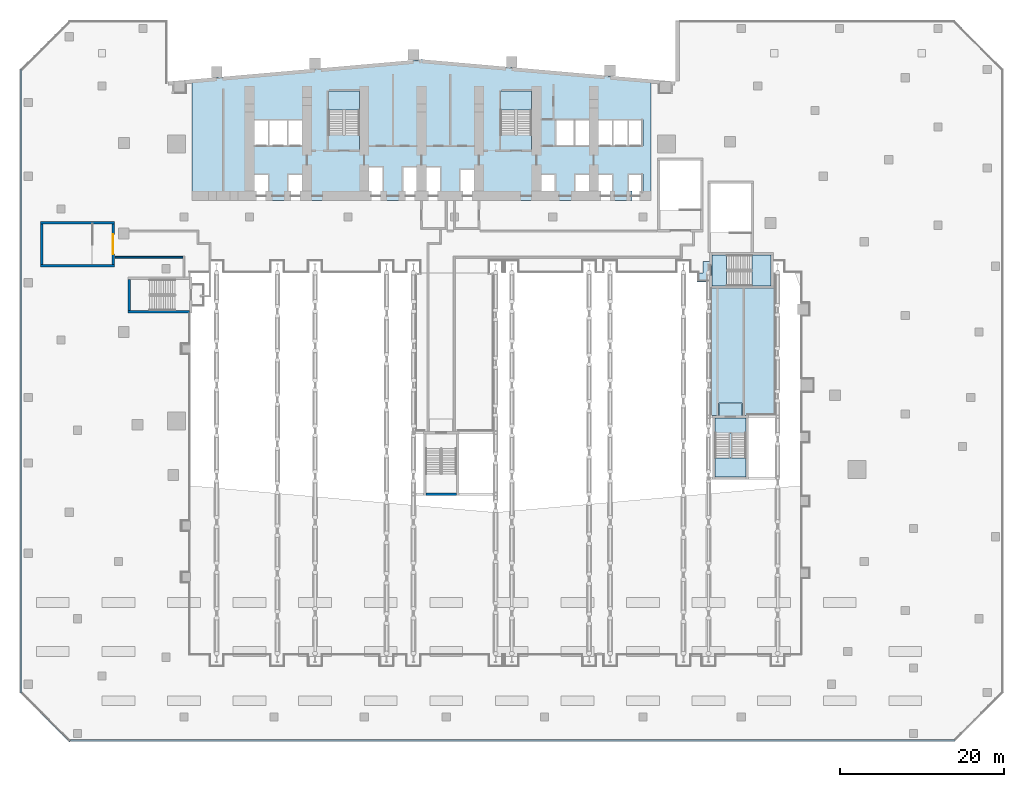
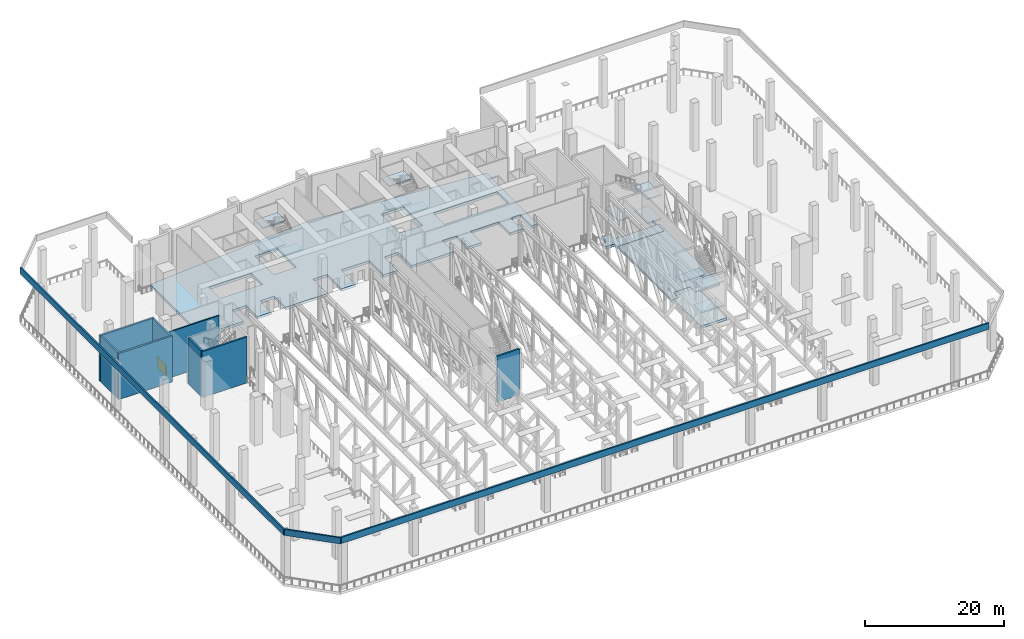
# One storey, part 9 of 33: 16 slabs, 11 walls, 1 door, 1 opening, 4 elements without a shape of their own.
"""IFC4 building model written with IfcOpenShell, lengths in metres."""

from ifc_helpers import new_model, si_unit, direction, frame, frame_2d, origin, place, context, subcontext, project, spatial, polyline, rectangle, outline, extrude, material, layer, layer_set, type_object, element, fill, aggregate, save


model = new_model("IFC4")

# Units and contexts
model_context = context("Model", 3, precision=1e-05, world=origin(), true_north=direction((0.0, 1.0)))
body_context = subcontext(model_context, "Body", "Model", "MODEL_VIEW")
ifc_project = project(units=[si_unit("LENGTHUNIT", "METRE"), si_unit("AREAUNIT", "SQUARE_METRE"), si_unit("VOLUMEUNIT", "CUBIC_METRE"), si_unit("PLANEANGLEUNIT", "RADIAN"), si_unit("MASSUNIT", "GRAM", prefix="KILO")], contexts=[model_context])

# Site, building, storey
site_placement = place(None, origin())
site = spatial("IfcSite", under=ifc_project, at=site_placement, CompositionType="ELEMENT")
building_placement = place(site_placement, origin())
building = spatial("IfcBuilding", under=site, at=building_placement, Name="Wharfspan Tower", CompositionType="ELEMENT")
storey_placement = place(building_placement, frame((0.0, 0.0, 33.0)))
storey = spatial("IfcBuildingStorey", under=building, at=storey_placement, Name="L05", CompositionType="ELEMENT", Elevation=33.0)

# Slabs
ifc_material_1 = material(Name="Concrete C35/45", Category="concrete")
ifc_layer_1 = layer(ifc_material_1, 0.300049)
ifc_layer_set_1 = layer_set([ifc_layer_1], Name="Concrete C35/45")
slab_type_1 = type_object("IfcSlabType", Name="Corridor floor slab 300", PredefinedType="FLOOR", material=ifc_layer_set_1)
slab_1_placement = place(storey_placement, frame((0.0, 0.0, -0.300049)))
element("IfcSlab", 1, at=slab_1_placement, inside=storey, type_object=slab_type_1, Name="Corridor floor PC5", PredefinedType="FLOOR", context=body_context, shape_type="SweptSolid", body=[
    extrude(outline(polyline([(72.199951, 23.322998), (79.925049, 23.322998), (79.925293, 23.322998), (79.925293, 23.322998), (79.925537, 23.322998), (79.925781, 23.323242), (79.925781, 23.323242), (79.926025, 23.323242), (79.92627, 23.323486), (79.926514, 23.323486), (79.926514, 23.32373), (79.926758, 23.323975), (79.926758, 23.324219), (79.926758, 23.324219), (79.927002, 23.324463), (79.927002, 23.324707), (79.927002, 23.324707), (79.927002, 23.324951), (79.927002, 25.199951), (80.241943, 25.199951), (80.241943, 7.791992), (76.869385, 7.791992), (76.869385, 7.791992), (76.869385, 7.792236), (76.869385, 7.79248), (76.869385, 7.79248), (76.869385, 7.792725), (76.869385, 7.792969), (76.869141, 7.793213), (76.868896, 7.793213), (76.868896, 7.793457), (76.868896, 7.793457), (76.868652, 7.793701), (76.868408, 7.793701), (76.868408, 7.793701), (76.868164, 7.793945), (76.86792, 7.793945), (76.867676, 7.793945), (76.867432, 7.793945), (76.094482, 7.793945), (76.094482, 9.291992), (76.094482, 9.292236), (76.094482, 9.29248), (76.094482, 9.29248), (76.094238, 9.292725), (76.094238, 9.292969), (76.094238, 9.293213), (76.093994, 9.293213), (76.093994, 9.293457), (76.09375, 9.293457), (76.093506, 9.293701), (76.093506, 9.293701), (76.093262, 9.293701), (76.093018, 9.293945), (76.093018, 9.293945), (76.092773, 9.293945), (76.092529, 9.293945), (73.29248, 9.293945), (73.292236, 9.293945), (73.291992, 9.293945), (73.291992, 9.293945), (73.291748, 9.293701), (73.291504, 9.293701), (73.291504, 9.293701), (73.29126, 9.293457), (73.291016, 9.293457), (73.291016, 9.293213), (73.290771, 9.293213), (73.290771, 9.292969), (73.290771, 9.292725), (73.290527, 9.29248), (73.290527, 9.29248), (73.290527, 9.292236), (73.290527, 9.291992), (73.290527, 7.793945), (72.517578, 7.793945), (72.517334, 7.793945), (72.51709, 7.793945), (72.516846, 7.793945), (72.516602, 7.793701), (72.516602, 7.793701), (72.516357, 7.793701), (72.516113, 7.793457), (72.516113, 7.793457), (72.516113, 7.793213), (72.515869, 7.793213), (72.515625, 7.792969), (72.515625, 7.792725), (72.515625, 7.79248), (72.515381, 7.79248), (72.515381, 7.792236), (72.515381, 7.791992), (72.515381, 7.791992), (72.199951, 7.791992), (72.199951, 23.322998)])), origin(), (0.0, 0.0, 1.0), 0.300049),
])
ifc_layer_2 = layer(ifc_material_1, 0.449951)
ifc_layer_set_2 = layer_set([ifc_layer_2], Name="Concrete C35/45")
slab_type_2 = type_object("IfcSlabType", Name="Podium deck 450", PredefinedType="FLOOR", material=ifc_layer_set_2)
slab_2_placement = place(storey_placement, frame((0.0, 0.0, -0.450195)))
element("IfcSlab", 2, at=slab_2_placement, inside=storey, type_object=slab_type_2, Name="Core floor L05", PredefinedType="FLOOR", context=body_context, shape_type="SweptSolid", body=[
    extrude(outline(polyline([(65.0, 48.787354), (65.0, 34.0), (64.01001, 34.0), (64.01001, 37.26001), (62.656738, 37.26001), (62.656738, 37.159912), (62.290039, 37.159912), (62.290039, 35.189941), (62.656738, 35.189941), (62.656738, 34.0), (60.343262, 34.0), (60.343262, 37.26001), (55.656738, 37.26001), (55.656738, 34.0), (53.343262, 34.0), (53.343262, 37.26001), (50.98999, 37.26001), (50.98999, 34.0), (44.01001, 34.0), (44.01001, 37.860107), (41.656738, 37.860107), (41.656738, 34.0), (39.343262, 34.0), (39.343262, 38.159912), (34.656738, 38.159912), (34.656738, 34.0), (32.343262, 34.0), (32.343262, 38.159912), (29.98999, 38.159912), (29.98999, 34.0), (23.01001, 34.0), (23.01001, 37.26001), (20.656738, 37.26001), (20.656738, 34.0), (18.343262, 34.0), (18.343262, 37.26001), (15.98999, 37.26001), (15.98999, 34.0), (9.0, 34.0), (9.0, 48.787354), (37.0, 51.237061), (65.0, 48.787354)]), holes=[polyline([(53.323242, 43.909912), (53.323242, 40.689941), (64.01001, 40.689941), (64.01001, 43.909912), (53.323242, 43.909912)]), polyline([(50.409912, 41.98999), (50.409912, 47.409912), (46.639893, 47.409912), (46.639893, 41.98999), (50.409912, 41.98999)]), polyline([(29.409912, 41.98999), (29.409912, 47.409912), (25.639893, 47.409912), (25.639893, 41.98999), (29.409912, 41.98999)]), polyline([(20.676758, 40.689941), (23.01001, 40.689941), (23.01001, 43.909912), (20.676758, 43.909912), (20.656738, 43.909912), (15.98999, 43.909912), (15.98999, 40.689941), (20.656738, 40.689941), (20.676758, 40.689941)])]), origin(), (0.0, 0.0, 1.0), 0.450195),
])
ifc_material_2 = material(Name="Concrete C40/50", Category="concrete")
ifc_layer_3 = layer(ifc_material_2, 0.449951)
ifc_layer_set_3 = layer_set([ifc_layer_3], Name="Concrete C40/50")
slab_type_3 = type_object("IfcSlabType", Name="Post-tensioned flat slab 450", PredefinedType="FLOOR", material=ifc_layer_set_3)
slab_3_placement = place(storey_placement, frame((0.0, 0.0, -0.450195)))
element("IfcSlab", 3, at=slab_3_placement, inside=storey, type_object=slab_type_3, Name="Core floor slab L05 part 3", PredefinedType="FLOOR", context=body_context, shape_type="SweptSolid", body=[
    extrude(outline(polyline([(73.29248, 9.291992), (73.29248, 7.791992), (72.517578, 7.791992), (72.517578, -0.008057), (76.867432, -0.008057), (76.867432, 7.791992), (76.092529, 7.791992), (76.092529, 9.291992), (73.29248, 9.291992)])), origin(), (0.0, 0.0, 1.0), 0.450195),
])
slab_4_placement = place(storey_placement, frame((0.0, 0.0, -0.450195)))
element("IfcSlab", 4, at=slab_4_placement, inside=storey, type_object=slab_type_3, Name="Core floor slab L05 part 4", PredefinedType="FLOOR", context=body_context, shape_type="SweptSolid", body=[
    extrude(outline(polyline([(79.925049, 26.5979), (79.743896, 26.5979), (79.743896, 25.199951), (79.743896, 25.199707), (79.743896, 25.199707), (79.743896, 25.199463), (79.743896, 25.199219), (79.743896, 25.199219), (79.743652, 25.198975), (79.743408, 25.19873), (79.743408, 25.198486), (79.743408, 25.198486), (79.743164, 25.198242), (79.74292, 25.198242), (79.74292, 25.198242), (79.742676, 25.197998), (79.742432, 25.197998), (79.742188, 25.197998), (79.741943, 25.197998), (72.699951, 25.197998), (72.699707, 25.197998), (72.699707, 25.197998), (72.699463, 25.197998), (72.699219, 25.198242), (72.699219, 25.198242), (72.698975, 25.198242), (72.69873, 25.198486), (72.698486, 25.198486), (72.698486, 25.19873), (72.698242, 25.198975), (72.698242, 25.199219), (72.698242, 25.199219), (72.697998, 25.199463), (72.697998, 25.199707), (72.697998, 25.199707), (72.697998, 25.199951), (72.697998, 26.5979), (71.302002, 26.5979), (71.302002, 25.199951), (71.302002, 25.199707), (71.302002, 25.199707), (71.302002, 25.199463), (71.301758, 25.199219), (71.301758, 25.199219), (71.301758, 25.198975), (71.301514, 25.19873), (71.301514, 25.198486), (71.30127, 25.198486), (71.301025, 25.198242), (71.300781, 25.198242), (71.300781, 25.198242), (71.300537, 25.197998), (71.300293, 25.197998), (71.300293, 25.197998), (71.300049, 25.197998), (70.625, 25.197998), (70.625, 24.100098), (72.125, 24.100098), (72.125, 23.324951), (79.925049, 23.324951), (79.925049, 26.5979)])), origin(), (0.0, 0.0, 1.0), 0.450195),
])

# Stair, slabs
stair_type = type_object("IfcStairType", Name="Half-turn stair 48 risers 177 mm", PredefinedType="HALF_TURN_STAIR", material=ifc_material_2)
stair_1_placement = place(storey_placement, origin())
stair_1 = element("IfcStair", 5, at=stair_1_placement, inside=storey, type_object=stair_type, Name="L05 stair ST1", PredefinedType="HALF_TURN_STAIR")
ifc_layer_4 = layer(ifc_material_2, 0.199951)
ifc_layer_set_4 = layer_set([ifc_layer_4], Name="Concrete C40/50")
slab_type_4 = type_object("IfcSlabType", Name="Stair landing 200", PredefinedType="LANDING", material=ifc_layer_set_4)
slab_5_placement = place(storey_placement, frame((0.0, 0.0, 1.924805)))
slab_5 = element("IfcSlab", 6, at=slab_5_placement, type_object=slab_type_4, Name="ST1 landing 1", PredefinedType="LANDING", context=body_context, shape_type="SweptSolid", body=[
    extrude(outline(polyline([(29.399902, 45.080078), (29.399902, 47.399902), (25.649902, 47.399902), (25.649902, 45.080078), (29.399902, 45.080078)])), origin(), (0.0, 0.0, 1.0), 0.200195),
])
slab_6_placement = place(storey_placement, frame((0.0, 0.0, 4.049805)))
slab_6 = element("IfcSlab", 7, at=slab_6_placement, type_object=slab_type_4, Name="ST1 landing 2", PredefinedType="LANDING", context=body_context, shape_type="SweptSolid", body=[
    extrude(outline(polyline([(29.399902, 40.199951), (29.399902, 42.0), (25.649902, 42.0), (25.649902, 40.199951), (29.399902, 40.199951)])), origin(), (0.0, 0.0, 1.0), 0.200195),
])
slab_7_placement = place(storey_placement, frame((0.0, 0.0, 6.174805)))
slab_7 = element("IfcSlab", 8, at=slab_7_placement, type_object=slab_type_4, Name="ST1 landing 3", PredefinedType="LANDING", context=body_context, shape_type="SweptSolid", body=[
    extrude(outline(polyline([(29.399902, 45.080078), (29.399902, 47.399902), (25.649902, 47.399902), (25.649902, 45.080078), (29.399902, 45.080078)])), origin(), (0.0, 0.0, 1.0), 0.200195),
])
aggregate(stair_1, [slab_5, slab_6, slab_7])

stair_2_placement = place(storey_placement, origin())
stair_2 = element("IfcStair", 9, at=stair_2_placement, inside=storey, type_object=stair_type, Name="L05 stair ST2", PredefinedType="HALF_TURN_STAIR")
slab_8_placement = place(storey_placement, frame((0.0, 0.0, 1.924805)))
slab_8 = element("IfcSlab", 10, at=slab_8_placement, type_object=slab_type_4, Name="ST2 landing 1", PredefinedType="LANDING", context=body_context, shape_type="SweptSolid", body=[
    extrude(outline(polyline([(50.399902, 45.080078), (50.399902, 47.399902), (46.649902, 47.399902), (46.649902, 45.080078), (50.399902, 45.080078)])), origin(), (0.0, 0.0, 1.0), 0.200195),
])
slab_9_placement = place(storey_placement, frame((0.0, 0.0, 4.049805)))
slab_9 = element("IfcSlab", 11, at=slab_9_placement, type_object=slab_type_4, Name="ST2 landing 2", PredefinedType="LANDING", context=body_context, shape_type="SweptSolid", body=[
    extrude(outline(polyline([(50.399902, 40.199951), (50.399902, 42.0), (46.649902, 42.0), (46.649902, 40.199951), (50.399902, 40.199951)])), origin(), (0.0, 0.0, 1.0), 0.200195),
])
slab_10_placement = place(storey_placement, frame((0.0, 0.0, 6.174805)))
slab_10 = element("IfcSlab", 12, at=slab_10_placement, type_object=slab_type_4, Name="ST2 landing 3", PredefinedType="LANDING", context=body_context, shape_type="SweptSolid", body=[
    extrude(outline(polyline([(50.399902, 45.080078), (50.399902, 47.399902), (46.649902, 47.399902), (46.649902, 45.080078), (50.399902, 45.080078)])), origin(), (0.0, 0.0, 1.0), 0.200195),
])
aggregate(stair_2, [slab_8, slab_9, slab_10])

stair_3_placement = place(storey_placement, origin())
stair_3 = element("IfcStair", 13, at=stair_3_placement, inside=storey, type_object=stair_type, Name="L05 stair ST5", PredefinedType="HALF_TURN_STAIR")
slab_11_placement = place(storey_placement, frame((0.0, 0.0, 1.924805)))
slab_11 = element("IfcSlab", 14, at=slab_11_placement, type_object=slab_type_4, Name="ST5 landing 1", PredefinedType="LANDING", context=body_context, shape_type="SweptSolid", body=[
    extrude(outline(polyline([(72.817383, 2.612061), (72.817383, 0.291992), (76.567383, 0.291992), (76.567383, 2.612061), (72.817383, 2.612061)])), origin(), (0.0, 0.0, 1.0), 0.200195),
])
slab_12_placement = place(storey_placement, frame((0.0, 0.0, 4.049805)))
slab_12 = element("IfcSlab", 15, at=slab_12_placement, type_object=slab_type_4, Name="ST5 landing 2", PredefinedType="LANDING", context=body_context, shape_type="SweptSolid", body=[
    extrude(outline(polyline([(72.817383, 7.491943), (72.817383, 5.691895), (76.567383, 5.691895), (76.567383, 7.491943), (72.817383, 7.491943)])), origin(), (0.0, 0.0, 1.0), 0.200195),
])
slab_13_placement = place(storey_placement, frame((0.0, 0.0, 6.174805)))
slab_13 = element("IfcSlab", 16, at=slab_13_placement, type_object=slab_type_4, Name="ST5 landing 3", PredefinedType="LANDING", context=body_context, shape_type="SweptSolid", body=[
    extrude(outline(polyline([(72.817383, 2.612061), (72.817383, 0.291992), (76.567383, 0.291992), (76.567383, 2.612061), (72.817383, 2.612061)])), origin(), (0.0, 0.0, 1.0), 0.200195),
])
aggregate(stair_3, [slab_11, slab_12, slab_13])

stair_4_placement = place(storey_placement, origin())
stair_4 = element("IfcStair", 17, at=stair_4_placement, inside=storey, type_object=stair_type, Name="L05 stair ST6", PredefinedType="HALF_TURN_STAIR")
slab_14_placement = place(storey_placement, frame((0.0, 0.0, 1.924805)))
slab_14 = element("IfcSlab", 18, at=slab_14_placement, type_object=slab_type_4, Name="ST6 landing 1", PredefinedType="LANDING", context=body_context, shape_type="SweptSolid", body=[
    extrude(outline(polyline([(77.304932, 23.625), (79.625, 23.625), (79.625, 27.375), (77.304932, 27.375), (77.304932, 23.625)])), origin(), (0.0, 0.0, 1.0), 0.200195),
])
slab_15_placement = place(storey_placement, frame((0.0, 0.0, 4.049805)))
slab_15 = element("IfcSlab", 19, at=slab_15_placement, type_object=slab_type_4, Name="ST6 landing 2", PredefinedType="LANDING", context=body_context, shape_type="SweptSolid", body=[
    extrude(outline(polyline([(72.425049, 23.625), (74.225098, 23.625), (74.225098, 27.375), (72.425049, 27.375), (72.425049, 23.625)])), origin(), (0.0, 0.0, 1.0), 0.200195),
])
slab_16_placement = place(storey_placement, frame((0.0, 0.0, 6.174805)))
slab_16 = element("IfcSlab", 20, at=slab_16_placement, type_object=slab_type_4, Name="ST6 landing 3", PredefinedType="LANDING", context=body_context, shape_type="SweptSolid", body=[
    extrude(outline(polyline([(77.304932, 23.625), (79.625, 23.625), (79.625, 27.375), (77.304932, 27.375), (77.304932, 23.625)])), origin(), (0.0, 0.0, 1.0), 0.200195),
])
aggregate(stair_4, [slab_14, slab_15, slab_16])

# Walls
ifc_layer_5 = layer(ifc_material_2, 0.25)
ifc_layer_set_5 = layer_set([ifc_layer_5], Name="Concrete C40/50")
wall_type_1 = type_object("IfcWallType", Name="PARAPET CONCRETE 250", PredefinedType="PARAPET", material=ifc_layer_set_5)
wall_1_placement = place(storey_placement, frame((-5.823242, -31.875, 8.5), z_axis=(0.0, 0.0, 1.0), x_axis=(1.0, 0.0, 0.0)))
element("IfcWall", 21, at=wall_1_placement, inside=storey, type_object=wall_type_1, Name="Ledge parapet", PredefinedType="PARAPET", context=body_context, shape_type="SweptSolid", body=[
    extrude(rectangle(XDim=107.896484, YDim=0.25, at=frame_2d((53.948242, 0.0))), origin(), (0.0, 0.0, 1.0), 1.100098),
])
wall_2_placement = place(storey_placement, frame((-11.875, 50.0, 8.5), z_axis=(0.0, 0.0, 1.0), x_axis=(0.0, -1.0, 0.0)))
element("IfcWall", 22, at=wall_2_placement, inside=storey, type_object=wall_type_1, Name="Ledge parapet", PredefinedType="PARAPET", context=body_context, shape_type="SweptSolid", body=[
    extrude(rectangle(XDim=76.073242, YDim=0.25, at=frame_2d((38.036621, 0.0))), origin(), (0.0, 0.0, 1.0), 1.100098),
])
wall_3_placement = place(storey_placement, frame((-11.786621, -26.036621, 8.5), z_axis=(0.0, 0.0, 1.0), x_axis=(0.707107, -0.707107, 0.0)))
element("IfcWall", 23, at=wall_3_placement, inside=storey, type_object=wall_type_1, Name="Ledge parapet", PredefinedType="PARAPET", context=body_context, shape_type="SweptSolid", body=[
    extrude(rectangle(XDim=8.381592, YDim=0.25, at=frame_2d((4.190918, 0.0))), origin(), (0.0, 0.0, 1.0), 1.100098),
])
ifc_layer_6 = layer(ifc_material_2, 0.300049)
ifc_layer_set_6 = layer_set([ifc_layer_6], Name="Concrete C40/50")
wall_type_2 = type_object("IfcWallType", Name="Podium stair core wall 300", PredefinedType="SHEAR", material=ifc_layer_set_6)
for number, where, z_axis, x_axis, name in (
    (24, (-9.5, 26.074951, 0.0), (0.0, 0.0, 1.0), (1.0, 0.0, 0.0), "iw:L05:PS3S"),
    (25, (-9.5, 31.324951, 0.0), (0.0, 0.0, 1.0), (1.0, 0.0, 0.0), "iw:L05:PS3N"),
):
    element("IfcWall", number, at=place(storey_placement, frame(where, z_axis=z_axis, x_axis=x_axis)), inside=storey, type_object=wall_type_2, Name=name, PredefinedType="SHEAR", context=body_context, shape_type="SweptSolid", body=[
        extrude(rectangle(XDim=9.0, YDim=0.300049, at=frame_2d((4.5, 0.0))), origin(), (0.0, 0.0, 1.0), 8.100098),
    ])
wall_4_placement = place(storey_placement, frame((-9.350098, 26.225098, 0.0), z_axis=(0.0, 0.0, 1.0), x_axis=(0.0, 1.0, 0.0)))
element("IfcWall", 26, at=wall_4_placement, inside=storey, type_object=wall_type_2, Name="iw:L05:PS3W", PredefinedType="SHEAR", context=body_context, shape_type="SweptSolid", body=[
    extrude(rectangle(XDim=4.949951, YDim=0.300049, at=frame_2d((2.475098, 0.0))), origin(), (0.0, 0.0, 1.0), 8.100098),
])

# Wall, opening, door
wall_5_placement = place(storey_placement, frame((-0.649902, 26.225098, 0.0), z_axis=(0.0, 0.0, 1.0), x_axis=(0.0, 1.0, 0.0)))
wall_5 = element("IfcWall", 27, at=wall_5_placement, inside=storey, type_object=wall_type_2, Name="iw:L05:PS3E", PredefinedType="SHEAR", context=body_context, shape_type="SweptSolid", body=[
    extrude(rectangle(XDim=4.949951, YDim=0.300049, at=frame_2d((2.475098, 0.0))), origin(), (0.0, 0.0, 1.0), 8.100098),
])
opening_placement = place(wall_5_placement, frame((1.274902, 0.0, 0.0)))
opening = element("IfcOpeningElement", 28, at=opening_placement, cuts=wall_5, Name="Opening SDPS3.L05", PredefinedType="OPENING", context=body_context, shape_type="SweptSolid", body=[
    extrude(rectangle(XDim=2.399902, YDim=2.100098, at=frame_2d((1.199951, 1.050049))), frame((0.0, 0.159912, 0.0), z_axis=(0.0, -1.0, 0.0), x_axis=(1.0, 0.0, 0.0)), (0.0, 0.0, 1.0), 0.320068),
])
ifc_material_3 = material(Name="Steel door leaf", Category="steel")
door_type = type_object("IfcDoorType", Name="Podium stair door 2400x2100", OperationType="DOUBLE_DOOR_SINGLE_SWING", PredefinedType="DOOR", material=ifc_material_3)
door_placement = place(opening_placement, origin())
door = element("IfcDoor", 29, at=door_placement, inside=storey, type_object=door_type, Name="id:L05:PS3", OperationType="DOUBLE_DOOR_SINGLE_SWING", OverallHeight=2.100098, OverallWidth=2.399902, PredefinedType="DOOR", context=body_context, shape_type="SweptSolid", body=[
    extrude(rectangle(XDim=2.399902, YDim=2.100098, at=frame_2d((1.199951, 1.050049))), frame((0.0, 0.024902, 0.0), z_axis=(0.0, -1.0, 0.0), x_axis=(1.0, 0.0, 0.0)), (0.0, 0.0, 1.0), 0.050049),
])
fill(opening, door)

# Walls
ifc_material_4 = material(Name="Concrete C30/37", Category="concrete")
ifc_layer_7 = layer(ifc_material_4, 0.199951)
ifc_layer_set_7 = layer_set([ifc_layer_7], Name="Concrete C30/37")
wall_type_3 = type_object("IfcWallType", Name="Protected corridor wall 200", PredefinedType="PARTITIONING", material=ifc_layer_set_7)
wall_6_placement = place(storey_placement, frame((-0.379883, 27.100098, 0.0), z_axis=(0.0, 0.0, 1.0), x_axis=(1.0, 0.0, 0.0)))
element("IfcWall", 30, at=wall_6_placement, inside=storey, type_object=wall_type_3, Name="iw:L05:PC3:4", PredefinedType="PARTITIONING", context=body_context, shape_type="SweptSolid", body=[
    extrude(rectangle(XDim=8.279785, YDim=0.199951, at=frame_2d((4.139893, 0.0))), origin(), (0.0, 0.0, 1.0), 8.100098),
])
ifc_layer_8 = layer(ifc_material_2, 0.300049)
ifc_layer_set_8 = layer_set([ifc_layer_8], Name="Concrete C40/50")
wall_type_4 = type_object("IfcWallType", Name="Stair core wall 300", PredefinedType="SHEAR", material=ifc_layer_set_8)
wall_7_placement = place(storey_placement, frame((1.199951, 20.475098, 0.0), z_axis=(0.0, 0.0, 1.0), x_axis=(1.0, 0.0, 0.0)))
element("IfcWall", 31, at=wall_7_placement, inside=storey, type_object=wall_type_4, Name="ST3 stair enclosure wall L05", PredefinedType="SHEAR", context=body_context, shape_type="SweptSolid", body=[
    extrude(rectangle(XDim=7.5, YDim=0.300049, at=frame_2d((3.75, 0.0))), origin(), (0.0, 0.0, 1.0), 8.100098),
])
for number, where, z_axis, x_axis, name in (
    (32, (1.350098, 20.625, 0.0), (0.0, 0.0, 1.0), (0.0, 1.0, 0.0), "ST3 stair enclosure wall L05"),
    (33, (37.508301, -1.789307, 0.0), (0.0, 0.0, 1.0), (1.0, 0.0, 0.0), "ST4 stair enclosure wall L05"),
):
    element("IfcWall", number, at=place(storey_placement, frame(where, z_axis=z_axis, x_axis=x_axis)), inside=storey, type_object=wall_type_4, Name=name, PredefinedType="SHEAR", context=body_context, shape_type="SweptSolid", body=[
        extrude(rectangle(XDim=3.75, YDim=0.300049, at=frame_2d((1.875, 0.0))), origin(), (0.0, 0.0, 1.0), 8.100098),
    ])

save(model, "model.ifc")
